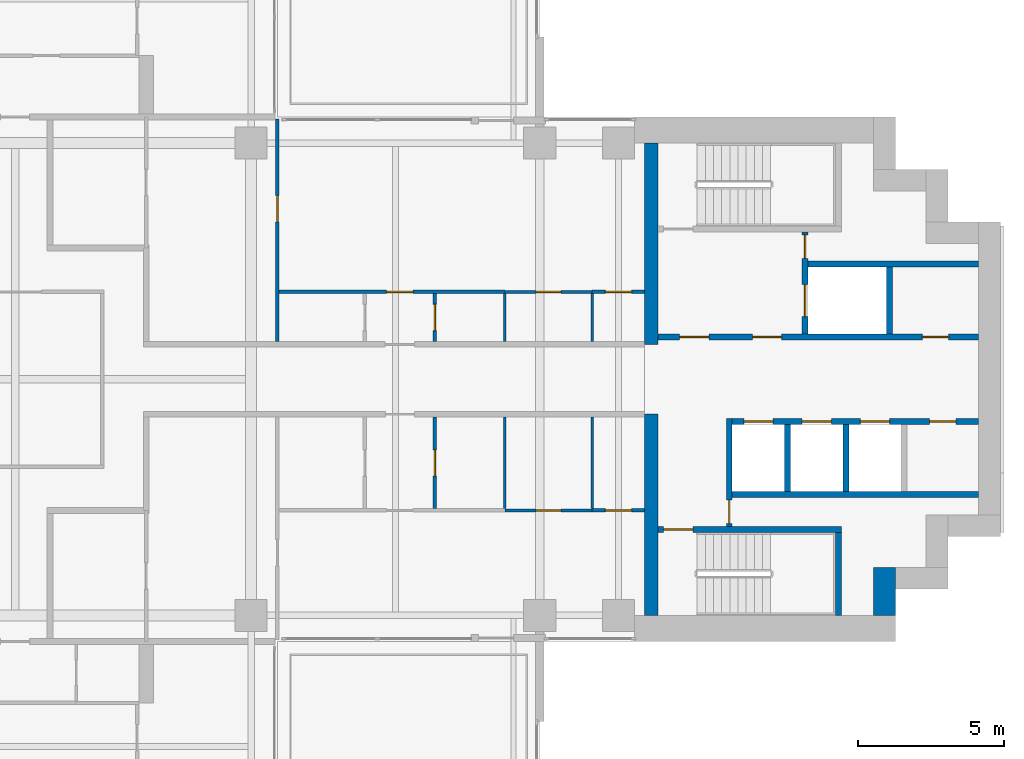
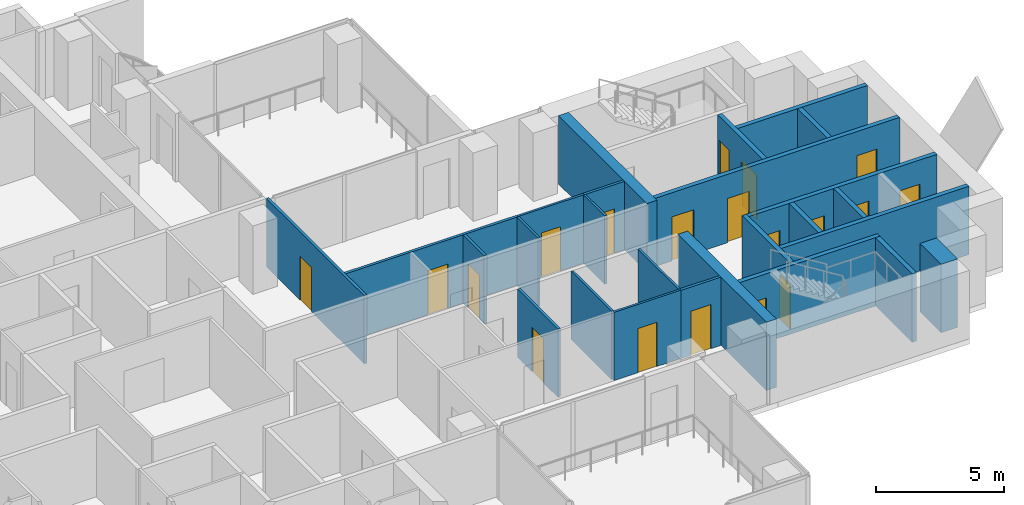
# One storey, part 12 of 18: 26 walls, 19 doors, 19 openings.
"""IFC4 building model written with IfcOpenShell, lengths in metres."""

from ifc_helpers import new_model, si_unit, direction, frame, frame_2d, origin, place, context, subcontext, project, spatial, rectangle, extrude, material, layer, layer_set, type_object, element, fill, save


model = new_model("IFC4")

# Units and contexts
model_context = context("Model", 3, precision=1e-05, world=origin(), true_north=direction((0.0, 1.0)))
body_context = subcontext(model_context, "Body", "Model", "MODEL_VIEW")
ifc_project = project(units=[si_unit("LENGTHUNIT", "METRE"), si_unit("AREAUNIT", "SQUARE_METRE"), si_unit("VOLUMEUNIT", "CUBIC_METRE"), si_unit("PLANEANGLEUNIT", "RADIAN"), si_unit("MASSUNIT", "GRAM", prefix="KILO")], contexts=[model_context])

# Site, building, storey
site_placement = place(None, origin())
site = spatial("IfcSite", under=ifc_project, at=site_placement, CompositionType="ELEMENT")
building_placement = place(site_placement, origin())
building = spatial("IfcBuilding", under=site, at=building_placement, Name="Perihelion Cross Residences", CompositionType="ELEMENT")
storey_placement = place(building_placement, frame((0.0, 0.0, 133.89990234375)))
storey = spatial("IfcBuildingStorey", under=building, at=storey_placement, Name="L32", CompositionType="ELEMENT", Elevation=133.89990234375)

# Walls
ifc_material_1 = material(Name="Concrete C60/75", Category="concrete")
ifc_layer_1 = layer(ifc_material_1, 0.449951171875)
ifc_layer_set_1 = layer_set([ifc_layer_1], Name="Core wall, inner 450")
wall_type_1 = type_object("IfcWallType", Name="Core wall, inner 450", PredefinedType="SHEAR", material=ifc_layer_set_1)
for number, where, z_axis, x_axis, name in (
    (1, (21.824951171875, -8.10009765625, 0.0), (0.0, 0.0, 1.0), (0.0, 1.0, 0.0), "East core core wall, inner"),
    (2, (21.824951171875, 1.199951171875, 0.0), (0.0, 0.0, 1.0), (0.0, 1.0, 0.0), "East core core wall, inner"),
):
    element("IfcWall", number, at=place(storey_placement, frame(where, z_axis=z_axis, x_axis=x_axis)), inside=storey, type_object=wall_type_1, Name=name, PredefinedType="SHEAR", context=body_context, shape_type="SweptSolid", body=[
        extrude(rectangle(XDim=6.900146484375, YDim=0.449951171875, at=frame_2d((3.4501953125, 0.0))), origin(), (0.0, 0.0, 1.0), 3.25),
    ])
ifc_material_2 = material(Name="Concrete C60/75", Category="concrete")
ifc_layer_2 = layer(ifc_material_2, 0.75)
ifc_layer_set_2 = layer_set([ifc_layer_2], Name="Core wall, outer 750")
wall_type_2 = type_object("IfcWallType", Name="Core wall, outer 750", PredefinedType="SHEAR", material=ifc_layer_set_2)
wall_1_placement = place(storey_placement, frame((29.824951171875, -8.10009765625, 0.0), z_axis=(0.0, 0.0, 1.0), x_axis=(0.0, 1.0, 0.0)))
element("IfcWall", 3, at=wall_1_placement, inside=storey, type_object=wall_type_2, Name="East core core wall, outer", PredefinedType="SHEAR", context=body_context, shape_type="SweptSolid", body=[
    extrude(rectangle(XDim=1.650146484375, YDim=0.75, at=frame_2d((0.8251953125, 0.0))), origin(), (0.0, 0.0, 1.0), 3.25),
])

# Wall, opening, door
ifc_material_3 = material(Name="Concrete C50/60", Category="concrete")
ifc_layer_3 = layer(ifc_material_3, 0.199951171875)
ifc_layer_set_3 = layer_set([ifc_layer_3], Name="Lobby wall 200")
wall_type_3 = type_object("IfcWallType", Name="Lobby wall 200", PredefinedType="SOLIDWALL", material=ifc_layer_set_3)
wall_2_placement = place(storey_placement, frame((24.5, -5.050048828125, 0.0), z_axis=(0.0, 0.0, 1.0), x_axis=(0.0, 1.0, 0.0)))
wall_2 = element("IfcWall", 4, at=wall_2_placement, inside=storey, type_object=wall_type_3, Name="East core lobby wall", PredefinedType="SOLIDWALL", context=body_context, shape_type="SweptSolid", body=[
    extrude(rectangle(XDim=3.699951171875, YDim=0.199951171875, at=frame_2d((1.85009765625, 0.0))), origin(), (0.0, 0.0, 1.0), 3.25),
])
opening_1_placement = place(wall_2_placement, frame((0.10009765625, 0.0, 0.0)))
opening_1 = element("IfcOpeningElement", 5, at=opening_1_placement, cuts=wall_2, Name="Opening L32.C08", PredefinedType="OPENING", context=body_context, shape_type="SweptSolid", body=[
    extrude(rectangle(XDim=0.800048828125, YDim=2.10009765625, at=frame_2d((0.39990234375, 1.050048828125))), frame((0.0, 0.10986328125, 0.0), z_axis=(0.0, -1.0, 0.0), x_axis=(1.0, 0.0, 0.0)), (0.0, 0.0, 1.0), 0.219970703125),
])
ifc_material_4 = material(Name="Steel, powder coated", Category="steel")
door_type_1 = type_object("IfcDoorType", Name="Riser door 800", OperationType="SINGLE_SWING_LEFT", PredefinedType="DOOR", material=ifc_material_4)
door_1_placement = place(opening_1_placement, origin())
door_1 = element("IfcDoor", 6, at=door_1_placement, inside=storey, type_object=door_type_1, Name="East core riser door", OperationType="SINGLE_SWING_LEFT", OverallHeight=2.10009765625, OverallWidth=0.800048828125, PredefinedType="DOOR", context=body_context, shape_type="SweptSolid", body=[
    extrude(rectangle(XDim=0.800048828125, YDim=2.10009765625, at=frame_2d((0.39990234375, 1.050048828125))), frame((0.0, 0.02490234375, 0.0), z_axis=(0.0, -1.0, 0.0), x_axis=(1.0, 0.0, 0.0)), (0.0, 0.0, 1.0), 0.050048828125),
])
fill(opening_1, door_1)

ifc_material_5 = material(Name="Plasterboard partition")
ifc_layer_4 = layer(ifc_material_5, 0.1201171875)
ifc_layer_set_4 = layer_set([ifc_layer_4], Name="Partition wall 120")
wall_type_4 = type_object("IfcWallType", Name="Partition wall 120", PredefinedType="PARTITIONING", material=ifc_layer_set_4)
wall_3_placement = place(storey_placement, frame((8.93994140625, 3.0, 0.0), z_axis=(0.0, 0.0, 1.0), x_axis=(1.0, 0.0, 0.0)))
wall_3 = element("IfcWall", 7, at=wall_3_placement, inside=storey, type_object=wall_type_4, Name="Partition L32 W024", PredefinedType="PARTITIONING", context=body_context, shape_type="SweptSolid", body=[
    extrude(rectangle(XDim=7.860107421875, YDim=0.1201171875, at=frame_2d((3.93017578125, 0.0))), origin(), (0.0, 0.0, 1.0), 3.25),
])
opening_2_placement = place(wall_3_placement, frame((3.81005859375, 0.0, 0.0)))
opening_2 = element("IfcOpeningElement", 8, at=opening_2_placement, cuts=wall_3, Name="Opening L32.A06", PredefinedType="OPENING", context=body_context, shape_type="SweptSolid", body=[
    extrude(rectangle(XDim=0.89990234375, YDim=2.10009765625, at=frame_2d((0.449951171875, 1.050048828125))), frame((0.0, 0.070068359375, 0.0), z_axis=(0.0, -1.0, 0.0), x_axis=(1.0, 0.0, 0.0)), (0.0, 0.0, 1.0), 0.14013671875),
])
ifc_material_6 = material(Name="Timber door leaf", Category="wood")
door_type_2 = type_object("IfcDoorType", Name="Interior room door 900 x 2100", OperationType="SINGLE_SWING_LEFT", PredefinedType="DOOR", material=ifc_material_6)
door_2_placement = place(opening_2_placement, origin())
door_2 = element("IfcDoor", 9, at=door_2_placement, inside=storey, type_object=door_type_2, Name="Door L32.A06", OperationType="SINGLE_SWING_LEFT", OverallHeight=2.10009765625, OverallWidth=0.89990234375, PredefinedType="DOOR", context=body_context, shape_type="SweptSolid", body=[
    extrude(rectangle(XDim=0.89990234375, YDim=2.10009765625, at=frame_2d((0.449951171875, 1.050048828125))), frame((0.0, 0.02490234375, 0.0), z_axis=(0.0, -1.0, 0.0), x_axis=(1.0, 0.0, 0.0)), (0.0, 0.0, 1.0), 0.050048828125),
])
fill(opening_2, door_2)

wall_4_placement = place(storey_placement, frame((9.0, 1.300048828125, 0.0), z_axis=(0.0, 0.0, 1.0), x_axis=(0.0, 1.0, 0.0)))
wall_4 = element("IfcWall", 10, at=wall_4_placement, inside=storey, type_object=wall_type_4, Name="Partition L32 W025", PredefinedType="PARTITIONING", context=body_context, shape_type="SweptSolid", body=[
    extrude(rectangle(XDim=7.619873046875, YDim=0.1201171875, at=frame_2d((3.81005859375, 0.0))), origin(), (0.0, 0.0, 1.0), 3.25),
])
opening_3_placement = place(wall_4_placement, frame((4.10009765625, 0.0, 0.0)))
opening_3 = element("IfcOpeningElement", 11, at=opening_3_placement, cuts=wall_4, Name="Opening L32.A07", PredefinedType="OPENING", context=body_context, shape_type="SweptSolid", body=[
    extrude(rectangle(XDim=0.89990234375, YDim=2.10009765625, at=frame_2d((0.449951171875, 1.050048828125))), frame((0.0, 0.070068359375, 0.0), z_axis=(0.0, -1.0, 0.0), x_axis=(1.0, 0.0, 0.0)), (0.0, 0.0, 1.0), 0.14013671875),
])
door_3_placement = place(opening_3_placement, origin())
door_3 = element("IfcDoor", 12, at=door_3_placement, inside=storey, type_object=door_type_2, Name="Door L32.A07", OperationType="SINGLE_SWING_LEFT", OverallHeight=2.10009765625, OverallWidth=0.89990234375, PredefinedType="DOOR", context=body_context, shape_type="SweptSolid", body=[
    extrude(rectangle(XDim=0.89990234375, YDim=2.10009765625, at=frame_2d((0.449951171875, 1.050048828125))), frame((0.0, 0.02490234375, 0.0), z_axis=(0.0, -1.0, 0.0), x_axis=(1.0, 0.0, 0.0)), (0.0, 0.0, 1.0), 0.050048828125),
])
fill(opening_3, door_3)

wall_5_placement = place(storey_placement, frame((14.39990234375, 2.93994140625, 0.0), z_axis=(0.0, 0.0, 1.0), x_axis=(0.0, -1.0, 0.0)))
wall_5 = element("IfcWall", 13, at=wall_5_placement, inside=storey, type_object=wall_type_4, Name="Partition L32 W026", PredefinedType="PARTITIONING", context=body_context, shape_type="SweptSolid", body=[
    extrude(rectangle(XDim=1.639892578125, YDim=0.1201171875, at=frame_2d((0.81982421875, 0.0))), origin(), (0.0, 0.0, 1.0), 3.25),
])
opening_4_placement = place(wall_5_placement, frame((0.3701171875, 0.0, 0.0)))
opening_4 = element("IfcOpeningElement", 14, at=opening_4_placement, cuts=wall_5, Name="Opening L32.A08", PredefinedType="OPENING", context=body_context, shape_type="SweptSolid", body=[
    extrude(rectangle(XDim=0.89990234375, YDim=2.10009765625, at=frame_2d((0.449951171875, 1.050048828125))), frame((0.0, 0.070068359375, 0.0), z_axis=(0.0, -1.0, 0.0), x_axis=(1.0, 0.0, 0.0)), (0.0, 0.0, 1.0), 0.14013671875),
])
door_4_placement = place(opening_4_placement, origin())
door_4 = element("IfcDoor", 15, at=door_4_placement, inside=storey, type_object=door_type_2, Name="Door L32.A08", OperationType="SINGLE_SWING_RIGHT", OverallHeight=2.10009765625, OverallWidth=0.89990234375, PredefinedType="DOOR", context=body_context, shape_type="SweptSolid", body=[
    extrude(rectangle(XDim=0.89990234375, YDim=2.10009765625, at=frame_2d((0.449951171875, 1.050048828125))), frame((0.0, 0.02490234375, 0.0), z_axis=(0.0, -1.0, 0.0), x_axis=(1.0, 0.0, 0.0)), (0.0, 0.0, 1.0), 0.050048828125),
])
fill(opening_4, door_4)

wall_6_placement = place(storey_placement, frame((19.800048828125, 3.0, 0.0), z_axis=(0.0, 0.0, 1.0), x_axis=(1.0, 0.0, 0.0)))
wall_6 = element("IfcWall", 16, at=wall_6_placement, inside=storey, type_object=wall_type_4, Name="Partition L32 W030", PredefinedType="PARTITIONING", context=body_context, shape_type="SweptSolid", body=[
    extrude(rectangle(XDim=1.800048828125, YDim=0.1201171875, at=frame_2d((0.89990234375, 0.0))), origin(), (0.0, 0.0, 1.0), 3.25),
])
opening_5_placement = place(wall_6_placement, frame((0.449951171875, 0.0, 0.0)))
opening_5 = element("IfcOpeningElement", 17, at=opening_5_placement, cuts=wall_6, Name="Opening L32.A05", PredefinedType="OPENING", context=body_context, shape_type="SweptSolid", body=[
    extrude(rectangle(XDim=0.89990234375, YDim=2.10009765625, at=frame_2d((0.449951171875, 1.050048828125))), frame((0.0, 0.070068359375, 0.0), z_axis=(0.0, -1.0, 0.0), x_axis=(1.0, 0.0, 0.0)), (0.0, 0.0, 1.0), 0.14013671875),
])
door_5_placement = place(opening_5_placement, origin())
door_5 = element("IfcDoor", 18, at=door_5_placement, inside=storey, type_object=door_type_2, Name="Door L32.A05", OperationType="SINGLE_SWING_RIGHT", OverallHeight=2.10009765625, OverallWidth=0.89990234375, PredefinedType="DOOR", context=body_context, shape_type="SweptSolid", body=[
    extrude(rectangle(XDim=0.89990234375, YDim=2.10009765625, at=frame_2d((0.449951171875, 1.050048828125))), frame((0.0, 0.02490234375, 0.0), z_axis=(0.0, -1.0, 0.0), x_axis=(1.0, 0.0, 0.0)), (0.0, 0.0, 1.0), 0.050048828125),
])
fill(opening_5, door_5)

wall_7_placement = place(storey_placement, frame((14.39990234375, -1.300048828125, 0.0), z_axis=(0.0, 0.0, 1.0), x_axis=(0.0, -1.0, 0.0)))
wall_7 = element("IfcWall", 19, at=wall_7_placement, inside=storey, type_object=wall_type_4, Name="Partition L32 W035", PredefinedType="PARTITIONING", context=body_context, shape_type="SweptSolid", body=[
    extrude(rectangle(XDim=3.139892578125, YDim=0.1201171875, at=frame_2d((1.56982421875, 0.0))), origin(), (0.0, 0.0, 1.0), 3.25),
])
opening_6_placement = place(wall_7_placement, frame((1.1201171875, 0.0, 0.0)))
opening_6 = element("IfcOpeningElement", 20, at=opening_6_placement, cuts=wall_7, Name="Opening L32.A15", PredefinedType="OPENING", context=body_context, shape_type="SweptSolid", body=[
    extrude(rectangle(XDim=0.89990234375, YDim=2.10009765625, at=frame_2d((0.449951171875, 1.050048828125))), frame((0.0, 0.070068359375, 0.0), z_axis=(0.0, -1.0, 0.0), x_axis=(1.0, 0.0, 0.0)), (0.0, 0.0, 1.0), 0.14013671875),
])
door_6_placement = place(opening_6_placement, origin())
door_6 = element("IfcDoor", 21, at=door_6_placement, inside=storey, type_object=door_type_2, Name="Door L32.A15", OperationType="SINGLE_SWING_LEFT", OverallHeight=2.10009765625, OverallWidth=0.89990234375, PredefinedType="DOOR", context=body_context, shape_type="SweptSolid", body=[
    extrude(rectangle(XDim=0.89990234375, YDim=2.10009765625, at=frame_2d((0.449951171875, 1.050048828125))), frame((0.0, 0.02490234375, 0.0), z_axis=(0.0, -1.0, 0.0), x_axis=(1.0, 0.0, 0.0)), (0.0, 0.0, 1.0), 0.050048828125),
])
fill(opening_6, door_6)

wall_8_placement = place(storey_placement, frame((21.60009765625, -4.5, 0.0), z_axis=(0.0, 0.0, 1.0), x_axis=(-1.0, 0.0, 0.0)))
wall_8 = element("IfcWall", 22, at=wall_8_placement, inside=storey, type_object=wall_type_4, Name="Partition L32 W039", PredefinedType="PARTITIONING", context=body_context, shape_type="SweptSolid", body=[
    extrude(rectangle(XDim=1.800048828125, YDim=0.1201171875, at=frame_2d((0.89990234375, 0.0))), origin(), (0.0, 0.0, 1.0), 3.25),
])
opening_7_placement = place(wall_8_placement, frame((0.449951171875, 0.0, 0.0)))
opening_7 = element("IfcOpeningElement", 23, at=opening_7_placement, cuts=wall_8, Name="Opening L32.A12", PredefinedType="OPENING", context=body_context, shape_type="SweptSolid", body=[
    extrude(rectangle(XDim=0.89990234375, YDim=2.10009765625, at=frame_2d((0.449951171875, 1.050048828125))), frame((0.0, 0.070068359375, 0.0), z_axis=(0.0, -1.0, 0.0), x_axis=(1.0, 0.0, 0.0)), (0.0, 0.0, 1.0), 0.14013671875),
])
door_7_placement = place(opening_7_placement, origin())
door_7 = element("IfcDoor", 24, at=door_7_placement, inside=storey, type_object=door_type_2, Name="Door L32.A12", OperationType="SINGLE_SWING_RIGHT", OverallHeight=2.10009765625, OverallWidth=0.89990234375, PredefinedType="DOOR", context=body_context, shape_type="SweptSolid", body=[
    extrude(rectangle(XDim=0.89990234375, YDim=2.10009765625, at=frame_2d((0.449951171875, 1.050048828125))), frame((0.0, 0.02490234375, 0.0), z_axis=(0.0, -1.0, 0.0), x_axis=(1.0, 0.0, 0.0)), (0.0, 0.0, 1.0), 0.050048828125),
])
fill(opening_7, door_7)

# Wall, openings, doors
ifc_material_7 = material(Name="Concrete C50/60", Category="concrete")
ifc_layer_5 = layer(ifc_material_7, 0.199951171875)
ifc_layer_set_5 = layer_set([ifc_layer_5], Name="Shaft wall 200")
wall_type_5 = type_object("IfcWallType", Name="Shaft wall 200", PredefinedType="SOLIDWALL", material=ifc_layer_set_5)
wall_9_placement = place(storey_placement, frame((22.050048828125, 1.449951171875, 0.0), z_axis=(0.0, 0.0, 1.0), x_axis=(1.0, 0.0, 0.0)))
wall_9 = element("IfcWall", 25, at=wall_9_placement, inside=storey, type_object=wall_type_5, Name="East core shaft wall", PredefinedType="SOLIDWALL", context=body_context, shape_type="SweptSolid", body=[
    extrude(rectangle(XDim=11.0, YDim=0.199951171875, at=frame_2d((5.5, 0.0))), origin(), (0.0, 0.0, 1.0), 3.25),
])
opening_8_placement = place(wall_9_placement, frame((0.75, 0.0, 0.0)))
opening_8 = element("IfcOpeningElement", 26, at=opening_8_placement, cuts=wall_9, Name="Opening L32.C07", PredefinedType="OPENING", context=body_context, shape_type="SweptSolid", body=[
    extrude(rectangle(XDim=1.0, YDim=2.10009765625, at=frame_2d((0.5, 1.050048828125))), frame((0.0, 0.10986328125, 0.0), z_axis=(0.0, -1.0, 0.0), x_axis=(1.0, 0.0, 0.0)), (0.0, 0.0, 1.0), 0.219970703125),
])
opening_9_placement = place(wall_9_placement, frame((3.25, 0.0, 0.0)))
opening_9 = element("IfcOpeningElement", 27, at=opening_9_placement, cuts=wall_9, Name="Opening L32.C09", PredefinedType="OPENING", context=body_context, shape_type="SweptSolid", body=[
    extrude(rectangle(XDim=1.0, YDim=2.10009765625, at=frame_2d((0.5, 1.050048828125))), frame((0.0, 0.10986328125, 0.0), z_axis=(0.0, -1.0, 0.0), x_axis=(1.0, 0.0, 0.0)), (0.0, 0.0, 1.0), 0.219970703125),
])
opening_10_placement = place(wall_9_placement, frame((9.074951171875, 0.0, 0.0)))
opening_10 = element("IfcOpeningElement", 28, at=opening_10_placement, cuts=wall_9, Name="Opening L32.C11", PredefinedType="OPENING", context=body_context, shape_type="SweptSolid", body=[
    extrude(rectangle(XDim=0.89990234375, YDim=2.10009765625, at=frame_2d((0.449951171875, 1.050048828125))), frame((0.0, 0.10986328125, 0.0), z_axis=(0.0, -1.0, 0.0), x_axis=(1.0, 0.0, 0.0)), (0.0, 0.0, 1.0), 0.219970703125),
])
ifc_material_8 = material(Name="Steel, powder coated", Category="steel")
door_type_3 = type_object("IfcDoorType", Name="Lobby door 1000", OperationType="SINGLE_SWING_LEFT", PredefinedType="DOOR", material=ifc_material_8)
door_8_placement = place(opening_8_placement, origin())
door_8 = element("IfcDoor", 29, at=door_8_placement, inside=storey, type_object=door_type_3, Name="East core firefighting lobby door", OperationType="SINGLE_SWING_LEFT", OverallHeight=2.10009765625, OverallWidth=1.0, PredefinedType="DOOR", context=body_context, shape_type="SweptSolid", body=[
    extrude(rectangle(XDim=1.0, YDim=2.10009765625, at=frame_2d((0.5, 1.050048828125))), frame((0.0, 0.02490234375, 0.0), z_axis=(0.0, -1.0, 0.0), x_axis=(1.0, 0.0, 0.0)), (0.0, 0.0, 1.0), 0.050048828125),
])
fill(opening_8, door_8)
door_9_placement = place(opening_9_placement, origin())
door_9 = element("IfcDoor", 30, at=door_9_placement, inside=storey, type_object=door_type_3, Name="East core firefighting lobby door", OperationType="SINGLE_SWING_LEFT", OverallHeight=2.10009765625, OverallWidth=1.0, PredefinedType="DOOR", context=body_context, shape_type="SweptSolid", body=[
    extrude(rectangle(XDim=1.0, YDim=2.10009765625, at=frame_2d((0.5, 1.050048828125))), frame((0.0, 0.02490234375, 0.0), z_axis=(0.0, -1.0, 0.0), x_axis=(1.0, 0.0, 0.0)), (0.0, 0.0, 1.0), 0.050048828125),
])
fill(opening_9, door_9)
ifc_material_9 = material(Name="Steel, powder coated", Category="steel")
door_type_4 = type_object("IfcDoorType", Name="Service room door 900", OperationType="SINGLE_SWING_LEFT", PredefinedType="DOOR", material=ifc_material_9)
door_10_placement = place(opening_10_placement, origin())
door_10 = element("IfcDoor", 31, at=door_10_placement, inside=storey, type_object=door_type_4, Name="East core service room door", OperationType="SINGLE_SWING_LEFT", OverallHeight=2.10009765625, OverallWidth=0.89990234375, PredefinedType="DOOR", context=body_context, shape_type="SweptSolid", body=[
    extrude(rectangle(XDim=0.89990234375, YDim=2.10009765625, at=frame_2d((0.449951171875, 1.050048828125))), frame((0.0, 0.02490234375, 0.0), z_axis=(0.0, -1.0, 0.0), x_axis=(1.0, 0.0, 0.0)), (0.0, 0.0, 1.0), 0.050048828125),
])
fill(opening_10, door_10)

wall_10_placement = place(storey_placement, frame((24.60009765625, -1.449951171875, 0.0), z_axis=(0.0, 0.0, 1.0), x_axis=(1.0, 0.0, 0.0)))
wall_10 = element("IfcWall", 32, at=wall_10_placement, inside=storey, type_object=wall_type_5, Name="East core shaft wall", PredefinedType="SOLIDWALL", context=body_context, shape_type="SweptSolid", body=[
    extrude(rectangle(XDim=8.449951171875, YDim=0.199951171875, at=frame_2d((4.22509765625, 0.0))), origin(), (0.0, 0.0, 1.0), 3.25),
])
opening_11_placement = place(wall_10_placement, frame((0.39990234375, 0.0, 0.0)))
opening_11 = element("IfcOpeningElement", 33, at=opening_11_placement, cuts=wall_10, Name="Opening L32.C01", PredefinedType="OPENING", context=body_context, shape_type="SweptSolid", body=[
    extrude(rectangle(XDim=1.0, YDim=2.10009765625, at=frame_2d((0.5, 1.050048828125))), frame((0.0, 0.10986328125, 0.0), z_axis=(0.0, -1.0, 0.0), x_axis=(1.0, 0.0, 0.0)), (0.0, 0.0, 1.0), 0.219970703125),
])
opening_12_placement = place(wall_10_placement, frame((2.39990234375, 0.0, 0.0)))
opening_12 = element("IfcOpeningElement", 34, at=opening_12_placement, cuts=wall_10, Name="Opening L32.C03", PredefinedType="OPENING", context=body_context, shape_type="SweptSolid", body=[
    extrude(rectangle(XDim=1.0, YDim=2.10009765625, at=frame_2d((0.5, 1.050048828125))), frame((0.0, 0.10986328125, 0.0), z_axis=(0.0, -1.0, 0.0), x_axis=(1.0, 0.0, 0.0)), (0.0, 0.0, 1.0), 0.219970703125),
])
opening_13_placement = place(wall_10_placement, frame((4.39990234375, 0.0, 0.0)))
opening_13 = element("IfcOpeningElement", 35, at=opening_13_placement, cuts=wall_10, Name="Opening L32.C04", PredefinedType="OPENING", context=body_context, shape_type="SweptSolid", body=[
    extrude(rectangle(XDim=1.0, YDim=2.10009765625, at=frame_2d((0.5, 1.050048828125))), frame((0.0, 0.10986328125, 0.0), z_axis=(0.0, -1.0, 0.0), x_axis=(1.0, 0.0, 0.0)), (0.0, 0.0, 1.0), 0.219970703125),
])
opening_14_placement = place(wall_10_placement, frame((6.77490234375, 0.0, 0.0)))
opening_14 = element("IfcOpeningElement", 36, at=opening_14_placement, cuts=wall_10, Name="Opening L32.C12", PredefinedType="OPENING", context=body_context, shape_type="SweptSolid", body=[
    extrude(rectangle(XDim=0.89990234375, YDim=2.10009765625, at=frame_2d((0.449951171875, 1.050048828125))), frame((0.0, 0.10986328125, 0.0), z_axis=(0.0, -1.0, 0.0), x_axis=(1.0, 0.0, 0.0)), (0.0, 0.0, 1.0), 0.219970703125),
])
ifc_material_10 = material(Name="Stainless steel", Category="steel")
door_type_5 = type_object("IfcDoorType", Name="Landing door 1000", OperationType="DOUBLE_DOOR_SLIDING", PredefinedType="DOOR", material=ifc_material_10)
door_11_placement = place(opening_11_placement, origin())
door_11 = element("IfcDoor", 37, at=door_11_placement, inside=storey, type_object=door_type_5, Name="Landing door, East core high-rise lift 1", OperationType="DOUBLE_DOOR_SLIDING", OverallHeight=2.10009765625, OverallWidth=1.0, PredefinedType="DOOR", context=body_context, shape_type="SweptSolid", body=[
    extrude(rectangle(XDim=1.0, YDim=2.10009765625, at=frame_2d((0.5, 1.050048828125))), frame((0.0, 0.02490234375, 0.0), z_axis=(0.0, -1.0, 0.0), x_axis=(1.0, 0.0, 0.0)), (0.0, 0.0, 1.0), 0.050048828125),
])
fill(opening_11, door_11)
door_12_placement = place(opening_12_placement, origin())
door_12 = element("IfcDoor", 38, at=door_12_placement, inside=storey, type_object=door_type_5, Name="Landing door, East core high-rise lift 2", OperationType="DOUBLE_DOOR_SLIDING", OverallHeight=2.10009765625, OverallWidth=1.0, PredefinedType="DOOR", context=body_context, shape_type="SweptSolid", body=[
    extrude(rectangle(XDim=1.0, YDim=2.10009765625, at=frame_2d((0.5, 1.050048828125))), frame((0.0, 0.02490234375, 0.0), z_axis=(0.0, -1.0, 0.0), x_axis=(1.0, 0.0, 0.0)), (0.0, 0.0, 1.0), 0.050048828125),
])
fill(opening_12, door_12)
door_13_placement = place(opening_13_placement, origin())
door_13 = element("IfcDoor", 39, at=door_13_placement, inside=storey, type_object=door_type_5, Name="Landing door, East core high-rise lift 3", OperationType="DOUBLE_DOOR_SLIDING", OverallHeight=2.10009765625, OverallWidth=1.0, PredefinedType="DOOR", context=body_context, shape_type="SweptSolid", body=[
    extrude(rectangle(XDim=1.0, YDim=2.10009765625, at=frame_2d((0.5, 1.050048828125))), frame((0.0, 0.02490234375, 0.0), z_axis=(0.0, -1.0, 0.0), x_axis=(1.0, 0.0, 0.0)), (0.0, 0.0, 1.0), 0.050048828125),
])
fill(opening_13, door_13)
door_14_placement = place(opening_14_placement, origin())
door_14 = element("IfcDoor", 40, at=door_14_placement, inside=storey, type_object=door_type_4, Name="East core service room door", OperationType="SINGLE_SWING_LEFT", OverallHeight=2.10009765625, OverallWidth=0.89990234375, PredefinedType="DOOR", context=body_context, shape_type="SweptSolid", body=[
    extrude(rectangle(XDim=0.89990234375, YDim=2.10009765625, at=frame_2d((0.449951171875, 1.050048828125))), frame((0.0, 0.02490234375, 0.0), z_axis=(0.0, -1.0, 0.0), x_axis=(1.0, 0.0, 0.0)), (0.0, 0.0, 1.0), 0.050048828125),
])
fill(opening_14, door_14)

# Walls
wall_11_placement = place(storey_placement, frame((27.199951171875, 3.949951171875, 0.0), z_axis=(0.0, 0.0, 1.0), x_axis=(1.0, 0.0, 0.0)))
element("IfcWall", 41, at=wall_11_placement, inside=storey, type_object=wall_type_5, Name="East core shaft wall", PredefinedType="SOLIDWALL", context=body_context, shape_type="SweptSolid", body=[
    extrude(rectangle(XDim=5.85009765625, YDim=0.199951171875, at=frame_2d((2.925048828125, 0.0))), origin(), (0.0, 0.0, 1.0), 3.25),
])
wall_12_placement = place(storey_placement, frame((24.60009765625, -3.949951171875, 0.0), z_axis=(0.0, 0.0, 1.0), x_axis=(1.0, 0.0, 0.0)))
element("IfcWall", 42, at=wall_12_placement, inside=storey, type_object=wall_type_5, Name="East core shaft wall", PredefinedType="SOLIDWALL", context=body_context, shape_type="SweptSolid", body=[
    extrude(rectangle(XDim=8.449951171875, YDim=0.199951171875, at=frame_2d((4.22509765625, 0.0))), origin(), (0.0, 0.0, 1.0), 3.25),
])

# Wall, openings, doors
wall_13_placement = place(storey_placement, frame((27.10009765625, 1.550048828125, 0.0), z_axis=(0.0, 0.0, 1.0), x_axis=(0.0, 1.0, 0.0)))
wall_13 = element("IfcWall", 43, at=wall_13_placement, inside=storey, type_object=wall_type_5, Name="East core shaft wall", PredefinedType="SOLIDWALL", context=body_context, shape_type="SweptSolid", body=[
    extrude(rectangle(XDim=3.5, YDim=0.199951171875, at=frame_2d((1.75, 0.0))), origin(), (0.0, 0.0, 1.0), 3.25),
])
opening_15_placement = place(wall_13_placement, frame((0.60009765625, 0.0, 0.0)))
opening_15 = element("IfcOpeningElement", 44, at=opening_15_placement, cuts=wall_13, Name="Opening L32.C02", PredefinedType="OPENING", context=body_context, shape_type="SweptSolid", body=[
    extrude(rectangle(XDim=1.10009765625, YDim=2.10009765625, at=frame_2d((0.550048828125, 1.050048828125))), frame((0.0, 0.10986328125, 0.0), z_axis=(0.0, -1.0, 0.0), x_axis=(1.0, 0.0, 0.0)), (0.0, 0.0, 1.0), 0.219970703125),
])
opening_16_placement = place(wall_13_placement, frame((2.60009765625, 0.0, 0.0)))
opening_16 = element("IfcOpeningElement", 45, at=opening_16_placement, cuts=wall_13, Name="Opening L32.C10", PredefinedType="OPENING", context=body_context, shape_type="SweptSolid", body=[
    extrude(rectangle(XDim=0.800048828125, YDim=2.10009765625, at=frame_2d((0.39990234375, 1.050048828125))), frame((0.0, 0.10986328125, 0.0), z_axis=(0.0, -1.0, 0.0), x_axis=(1.0, 0.0, 0.0)), (0.0, 0.0, 1.0), 0.219970703125),
])
ifc_material_11 = material(Name="Stainless steel", Category="steel")
door_type_6 = type_object("IfcDoorType", Name="Landing door, firefighting lift 1100", OperationType="DOUBLE_DOOR_SLIDING", PredefinedType="DOOR", material=ifc_material_11)
door_15_placement = place(opening_15_placement, origin())
door_15 = element("IfcDoor", 46, at=door_15_placement, inside=storey, type_object=door_type_6, Name="Landing door, East core firefighting and service lift", OperationType="DOUBLE_DOOR_SLIDING", OverallHeight=2.10009765625, OverallWidth=1.10009765625, PredefinedType="DOOR", context=body_context, shape_type="SweptSolid", body=[
    extrude(rectangle(XDim=1.10009765625, YDim=2.10009765625, at=frame_2d((0.550048828125, 1.050048828125))), frame((0.0, 0.02490234375, 0.0), z_axis=(0.0, -1.0, 0.0), x_axis=(1.0, 0.0, 0.0)), (0.0, 0.0, 1.0), 0.050048828125),
])
fill(opening_15, door_15)
door_16_placement = place(opening_16_placement, origin())
door_16 = element("IfcDoor", 47, at=door_16_placement, inside=storey, type_object=door_type_1, Name="East core riser door", OperationType="SINGLE_SWING_LEFT", OverallHeight=2.10009765625, OverallWidth=0.800048828125, PredefinedType="DOOR", context=body_context, shape_type="SweptSolid", body=[
    extrude(rectangle(XDim=0.800048828125, YDim=2.10009765625, at=frame_2d((0.39990234375, 1.050048828125))), frame((0.0, 0.02490234375, 0.0), z_axis=(0.0, -1.0, 0.0), x_axis=(1.0, 0.0, 0.0)), (0.0, 0.0, 1.0), 0.050048828125),
])
fill(opening_16, door_16)

# Walls
for number, where, z_axis, x_axis, name in (
    (48, (30.0, 1.550048828125, 0.0), (0.0, 0.0, 1.0), (0.0, 1.0, 0.0), "East core shaft wall"),
    (49, (26.5, -3.85009765625, 0.0), (0.0, 0.0, 1.0), (0.0, 1.0, 0.0), "East core shaft wall"),
    (50, (28.5, -3.85009765625, 0.0), (0.0, 0.0, 1.0), (0.0, 1.0, 0.0), "East core shaft wall"),
):
    element("IfcWall", number, at=place(storey_placement, frame(where, z_axis=z_axis, x_axis=x_axis)), inside=storey, type_object=wall_type_5, Name=name, PredefinedType="SOLIDWALL", context=body_context, shape_type="SweptSolid", body=[
        extrude(rectangle(XDim=2.300048828125, YDim=0.199951171875, at=frame_2d((1.14990234375, 0.0))), origin(), (0.0, 0.0, 1.0), 3.25),
    ])

# Wall, opening, door
ifc_material_12 = material(Name="Concrete C50/60", Category="concrete")
ifc_layer_6 = layer(ifc_material_12, 0.199951171875)
ifc_layer_set_6 = layer_set([ifc_layer_6], Name="Stair wall 200")
wall_type_6 = type_object("IfcWallType", Name="Stair wall 200", PredefinedType="SOLIDWALL", material=ifc_layer_set_6)
wall_14_placement = place(storey_placement, frame((22.050048828125, -5.14990234375, 0.0), z_axis=(0.0, 0.0, 1.0), x_axis=(1.0, 0.0, 0.0)))
wall_14 = element("IfcWall", 51, at=wall_14_placement, inside=storey, type_object=wall_type_6, Name="East core stair wall", PredefinedType="SOLIDWALL", context=body_context, shape_type="SweptSolid", body=[
    extrude(rectangle(XDim=6.300048828125, YDim=0.199951171875, at=frame_2d((3.14990234375, 0.0))), origin(), (0.0, 0.0, 1.0), 3.25),
])
opening_17_placement = place(wall_14_placement, frame((0.199951171875, 0.0, 0.0)))
opening_17 = element("IfcOpeningElement", 52, at=opening_17_placement, cuts=wall_14, Name="Opening L32.C05", PredefinedType="OPENING", context=body_context, shape_type="SweptSolid", body=[
    extrude(rectangle(XDim=1.0, YDim=2.10009765625, at=frame_2d((0.5, 1.050048828125))), frame((0.0, 0.10986328125, 0.0), z_axis=(0.0, -1.0, 0.0), x_axis=(1.0, 0.0, 0.0)), (0.0, 0.0, 1.0), 0.219970703125),
])
ifc_material_13 = material(Name="Steel, powder coated", Category="steel")
door_type_7 = type_object("IfcDoorType", Name="Stair door 1000", OperationType="SINGLE_SWING_LEFT", PredefinedType="DOOR", material=ifc_material_13)
door_17_placement = place(opening_17_placement, origin())
door_17 = element("IfcDoor", 53, at=door_17_placement, inside=storey, type_object=door_type_7, Name="East core stair door", OperationType="SINGLE_SWING_LEFT", OverallHeight=2.10009765625, OverallWidth=1.0, PredefinedType="DOOR", context=body_context, shape_type="SweptSolid", body=[
    extrude(rectangle(XDim=1.0, YDim=2.10009765625, at=frame_2d((0.5, 1.050048828125))), frame((0.0, 0.02490234375, 0.0), z_axis=(0.0, -1.0, 0.0), x_axis=(1.0, 0.0, 0.0)), (0.0, 0.0, 1.0), 0.050048828125),
])
fill(opening_17, door_17)

# Walls
wall_15_placement = place(storey_placement, frame((28.25, -8.10009765625, 0.0), z_axis=(0.0, 0.0, 1.0), x_axis=(0.0, 1.0, 0.0)))
element("IfcWall", 54, at=wall_15_placement, inside=storey, type_object=wall_type_6, Name="East core stair wall", PredefinedType="SOLIDWALL", context=body_context, shape_type="SweptSolid", body=[
    extrude(rectangle(XDim=2.85009765625, YDim=0.199951171875, at=frame_2d((1.425048828125, 0.0))), origin(), (0.0, 0.0, 1.0), 3.25),
])
ifc_material_14 = material(Name="Plasterboard partition")
ifc_layer_7 = layer(ifc_material_14, 0.10009765625)
ifc_layer_set_7 = layer_set([ifc_layer_7], Name="Wet room wall 100")
wall_type_7 = type_object("IfcWallType", Name="Wet room wall 100", PredefinedType="PARTITIONING", material=ifc_layer_set_7)
for number, where, z_axis, x_axis, name in (
    (55, (16.800048828125, 2.93994140625, 0.0), (0.0, 0.0, 1.0), (0.0, -1.0, 0.0), "Partition L32 W027"),
    (56, (19.800048828125, 2.93994140625, 0.0), (0.0, 0.0, 1.0), (0.0, -1.0, 0.0), "Partition L32 W028"),
):
    element("IfcWall", number, at=place(storey_placement, frame(where, z_axis=z_axis, x_axis=x_axis)), inside=storey, type_object=wall_type_7, Name=name, PredefinedType="PARTITIONING", context=body_context, shape_type="SweptSolid", body=[
        extrude(rectangle(XDim=1.639892578125, YDim=0.10009765625, at=frame_2d((0.81982421875, 0.0))), origin(), (0.0, 0.0, 1.0), 3.25),
    ])

# Wall, opening, door
wall_16_placement = place(storey_placement, frame((16.800048828125, 3.0, 0.0), z_axis=(0.0, 0.0, 1.0), x_axis=(1.0, 0.0, 0.0)))
wall_16 = element("IfcWall", 57, at=wall_16_placement, inside=storey, type_object=wall_type_7, Name="Partition L32 W029", PredefinedType="PARTITIONING", context=body_context, shape_type="SweptSolid", body=[
    extrude(rectangle(XDim=3.0, YDim=0.10009765625, at=frame_2d((1.5, 0.0))), origin(), (0.0, 0.0, 1.0), 3.25),
])
opening_18_placement = place(wall_16_placement, frame((1.074951171875, 0.0, 0.0)))
opening_18 = element("IfcOpeningElement", 58, at=opening_18_placement, cuts=wall_16, Name="Opening L32.A02", PredefinedType="OPENING", context=body_context, shape_type="SweptSolid", body=[
    extrude(rectangle(XDim=0.85009765625, YDim=2.10009765625, at=frame_2d((0.425048828125, 1.050048828125))), frame((0.0, 0.06005859375, 0.0), z_axis=(0.0, -1.0, 0.0), x_axis=(1.0, 0.0, 0.0)), (0.0, 0.0, 1.0), 0.1201171875),
])
ifc_material_15 = material(Name="Timber door leaf", Category="wood")
door_type_8 = type_object("IfcDoorType", Name="Interior bathroom door 850 x 2100", OperationType="SINGLE_SWING_LEFT", PredefinedType="DOOR", material=ifc_material_15)
door_18_placement = place(opening_18_placement, origin())
door_18 = element("IfcDoor", 59, at=door_18_placement, inside=storey, type_object=door_type_8, Name="Door L32.A02", OperationType="SINGLE_SWING_LEFT", OverallHeight=2.10009765625, OverallWidth=0.85009765625, PredefinedType="DOOR", context=body_context, shape_type="SweptSolid", body=[
    extrude(rectangle(XDim=0.85009765625, YDim=2.10009765625, at=frame_2d((0.425048828125, 1.050048828125))), frame((0.0, 0.02490234375, 0.0), z_axis=(0.0, -1.0, 0.0), x_axis=(1.0, 0.0, 0.0)), (0.0, 0.0, 1.0), 0.050048828125),
])
fill(opening_18, door_18)

# Walls
for number, where, z_axis, x_axis, name in (
    (60, (16.800048828125, -1.300048828125, 0.0), (0.0, 0.0, 1.0), (0.0, -1.0, 0.0), "Partition L32 W036"),
    (61, (19.800048828125, -1.300048828125, 0.0), (0.0, 0.0, 1.0), (0.0, -1.0, 0.0), "Partition L32 W037"),
):
    element("IfcWall", number, at=place(storey_placement, frame(where, z_axis=z_axis, x_axis=x_axis)), inside=storey, type_object=wall_type_7, Name=name, PredefinedType="PARTITIONING", context=body_context, shape_type="SweptSolid", body=[
        extrude(rectangle(XDim=3.139892578125, YDim=0.10009765625, at=frame_2d((1.56982421875, 0.0))), origin(), (0.0, 0.0, 1.0), 3.25),
    ])

# Wall, opening, door
wall_17_placement = place(storey_placement, frame((19.800048828125, -4.5, 0.0), z_axis=(0.0, 0.0, 1.0), x_axis=(-1.0, 0.0, 0.0)))
wall_17 = element("IfcWall", 62, at=wall_17_placement, inside=storey, type_object=wall_type_7, Name="Partition L32 W038", PredefinedType="PARTITIONING", context=body_context, shape_type="SweptSolid", body=[
    extrude(rectangle(XDim=3.0, YDim=0.10009765625, at=frame_2d((1.5, 0.0))), origin(), (0.0, 0.0, 1.0), 3.25),
])
opening_19_placement = place(wall_17_placement, frame((1.074951171875, 0.0, 0.0)))
opening_19 = element("IfcOpeningElement", 63, at=opening_19_placement, cuts=wall_17, Name="Opening L32.A09", PredefinedType="OPENING", context=body_context, shape_type="SweptSolid", body=[
    extrude(rectangle(XDim=0.85009765625, YDim=2.10009765625, at=frame_2d((0.425048828125, 1.050048828125))), frame((0.0, 0.06005859375, 0.0), z_axis=(0.0, -1.0, 0.0), x_axis=(1.0, 0.0, 0.0)), (0.0, 0.0, 1.0), 0.1201171875),
])
door_19_placement = place(opening_19_placement, origin())
door_19 = element("IfcDoor", 64, at=door_19_placement, inside=storey, type_object=door_type_8, Name="Door L32.A09", OperationType="SINGLE_SWING_LEFT", OverallHeight=2.10009765625, OverallWidth=0.85009765625, PredefinedType="DOOR", context=body_context, shape_type="SweptSolid", body=[
    extrude(rectangle(XDim=0.85009765625, YDim=2.10009765625, at=frame_2d((0.425048828125, 1.050048828125))), frame((0.0, 0.02490234375, 0.0), z_axis=(0.0, -1.0, 0.0), x_axis=(1.0, 0.0, 0.0)), (0.0, 0.0, 1.0), 0.050048828125),
])
fill(opening_19, door_19)

save(model, "model.ifc")
